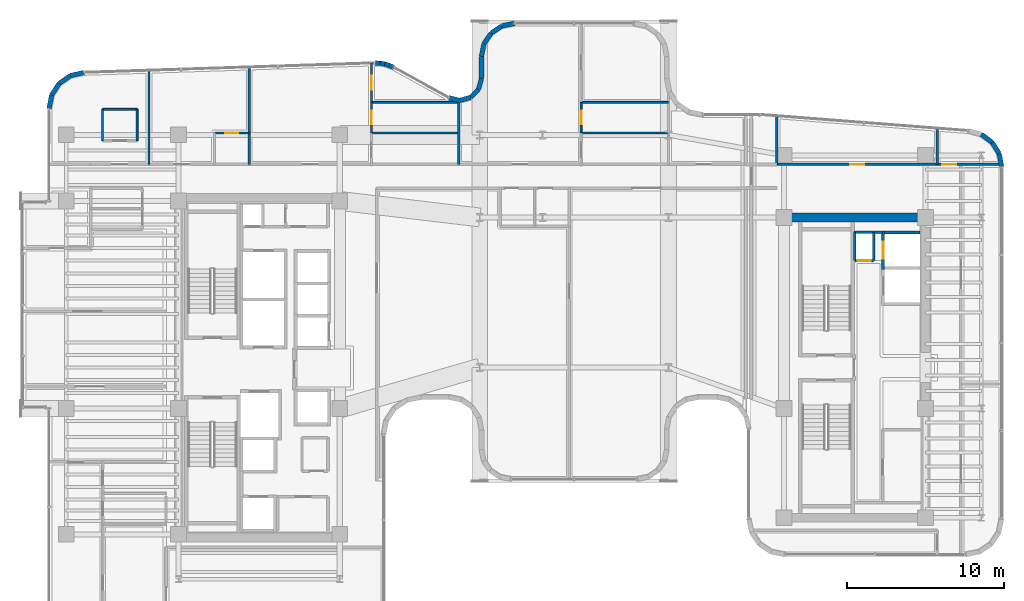
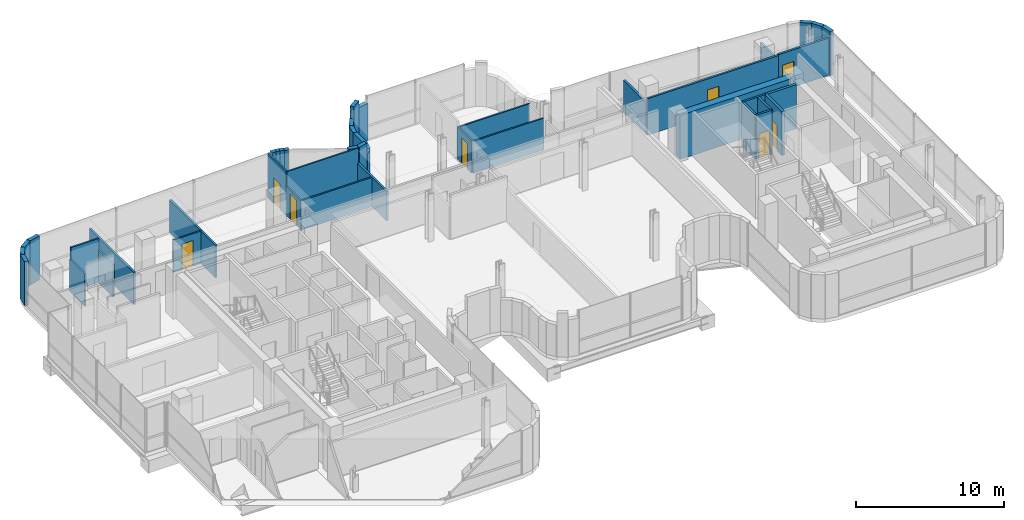
# One storey, part 30 of 38: 45 walls, 8 doors, 8 openings.
"""IFC4 building model written with IfcOpenShell, lengths in metres."""

from ifc_helpers import new_model, si_unit, direction, frame, frame_2d, origin, place, context, subcontext, project, spatial, rectangle, extrude, material, layer, layer_set, type_object, element, fill, save


model = new_model("IFC4")

# Units and contexts
model_context = context("Model", 3, precision=1e-05, world=origin(), true_north=direction((0.0, 1.0)))
body_context = subcontext(model_context, "Body", "Model", "MODEL_VIEW")
ifc_project = project(units=[si_unit("LENGTHUNIT", "METRE"), si_unit("AREAUNIT", "SQUARE_METRE"), si_unit("VOLUMEUNIT", "CUBIC_METRE"), si_unit("PLANEANGLEUNIT", "RADIAN"), si_unit("MASSUNIT", "GRAM", prefix="KILO")], contexts=[model_context])

# Site, building, storey
site_placement = place(None, origin())
site = spatial("IfcSite", under=ifc_project, at=site_placement, CompositionType="ELEMENT")
building_placement = place(site_placement, origin())
building = spatial("IfcBuilding", under=site, at=building_placement, Name="Valdorenza Pilgrim Sanctuary Tower", CompositionType="ELEMENT")
storey_placement = place(building_placement, frame((0.0, 0.0, 180.5)))
storey = spatial("IfcBuildingStorey", under=building, at=storey_placement, Name="L46", CompositionType="ELEMENT", Elevation=180.5)

# Wall, opening, door
ifc_material_1 = material(Name="Acoustic twin-stud gypsum partition", Category="gypsum")
ifc_layer_1 = layer(ifc_material_1, 0.159912109375, Name="Acoustic twin-stud gypsum partition")
ifc_layer_set_1 = layer_set([ifc_layer_1], Name="Acoustic twin-stud gypsum partition")
wall_type_1 = type_object("IfcWallType", Name="WAL-COR-160", PredefinedType="PARTITIONING", material=ifc_layer_set_1)
wall_1_placement = place(storey_placement, frame((20.35009765625, 6.800048828125, 0.0), z_axis=(0.0, 0.0, 1.0), x_axis=(1.0, 0.0, 0.0)))
wall_1 = element("IfcWall", 1, at=wall_1_placement, inside=storey, type_object=wall_type_1, Name="L46 Core B Riser South Wall", PredefinedType="PARTITIONING", context=body_context, shape_type="SweptSolid", body=[
    extrude(rectangle(XDim=1.199951171875, YDim=0.159912109375, at=frame_2d((0.60009765625, 0.0))), origin(), (0.0, 0.0, 1.0), 3.6298828125),
])
opening_1_placement = place(wall_1_placement, frame((0.175048828125, 0.0, 0.0)))
opening_1 = element("IfcOpeningElement", 2, at=opening_1_placement, cuts=wall_1, Name="Opening DR-RS1", PredefinedType="OPENING", context=body_context, shape_type="SweptSolid", body=[
    extrude(rectangle(XDim=0.85009765625, YDim=2.050048828125, at=frame_2d((0.425048828125, 1.02490234375))), frame((0.0, 0.0947265625, 0.0), z_axis=(0.0, -1.0, 0.0), x_axis=(1.0, 0.0, 0.0)), (0.0, 0.0, 1.0), 0.189697265625),
])
ifc_material_2 = material(Name="Painted galvanized steel", Category="steel")
door_type_1 = type_object("IfcDoorType", Name="DR-RSR-850", OperationType="NOTDEFINED", PredefinedType="DOOR", material=ifc_material_2)
door_1_placement = place(opening_1_placement, origin())
door_1 = element("IfcDoor", 3, at=door_1_placement, inside=storey, type_object=door_type_1, Name="L46 Core B Electrical Riser Door", OperationType="SINGLE_SWING_LEFT", OverallHeight=2.050048828125, OverallWidth=0.85009765625, PredefinedType="DOOR", context=body_context, shape_type="SweptSolid", body=[
    extrude(rectangle(XDim=0.85009765625, YDim=2.050048828125, at=frame_2d((0.425048828125, 1.02490234375))), frame((0.0, 0.02490234375, 0.0), z_axis=(0.0, -1.0, 0.0), x_axis=(1.0, 0.0, 0.0)), (0.0, 0.0, 1.0), 0.050048828125),
])
fill(opening_1, door_1)

# Walls
for number, where, z_axis, x_axis, name in (
    (4, (21.550048828125, 6.800048828125, 0.0), (0.0, 0.0, 1.0), (0.0, 1.0, 0.0), "L46 Core B Riser East Wall"),
    (5, (20.35009765625, 6.800048828125, 0.0), (0.0, 0.0, 1.0), (0.0, 1.0, 0.0), "L46 Core B Riser West Wall"),
):
    element("IfcWall", number, at=place(storey_placement, frame(where, z_axis=z_axis, x_axis=x_axis)), inside=storey, type_object=wall_type_1, Name=name, PredefinedType="PARTITIONING", context=body_context, shape_type="SweptSolid", body=[
        extrude(rectangle(XDim=1.800048828125, YDim=0.159912109375, at=frame_2d((0.89990234375, 0.0))), origin(), (0.0, 0.0, 1.0), 3.6298828125),
    ])
wall_2_placement = place(storey_placement, frame((20.300048828125, 8.60009765625, 0.0), z_axis=(0.0, 0.0, 1.0), x_axis=(1.0, 0.0, 0.0)))
element("IfcWall", 6, at=wall_2_placement, inside=storey, type_object=wall_type_1, Name="L46 Core B Lift Hall North End Wall", PredefinedType="PARTITIONING", context=body_context, shape_type="SweptSolid", body=[
    extrude(rectangle(XDim=1.820068359375, YDim=0.159912109375, at=frame_2d((0.91015625, 0.0))), origin(), (0.0, 0.0, 1.0), 3.6298828125),
])

# Wall, opening, door
wall_3_placement = place(storey_placement, frame((15.39990234375, 12.919921875, 0.0), z_axis=(0.0, 0.0, 1.0), x_axis=(1.0, 0.0, 0.0)))
wall_3 = element("IfcWall", 7, at=wall_3_placement, inside=storey, type_object=wall_type_1, Name="L46 Wing B North Corridor Wall", PredefinedType="PARTITIONING", context=body_context, shape_type="SweptSolid", body=[
    extrude(rectangle(XDim=10.2001953125, YDim=0.159912109375, at=frame_2d((5.10009765625, 0.0))), origin(), (0.0, 0.0, 1.0), 3.00390625),
])
opening_2_placement = place(wall_3_placement, frame((4.64990234375, 0.0, 0.0)))
opening_2 = element("IfcOpeningElement", 8, at=opening_2_placement, cuts=wall_3, Name="Opening DR-RM1", PredefinedType="OPENING", context=body_context, shape_type="SweptSolid", body=[
    extrude(rectangle(XDim=0.89990234375, YDim=2.10009765625, at=frame_2d((0.449951171875, 1.050048828125))), frame((0.0, 0.0947265625, 0.0), z_axis=(0.0, -1.0, 0.0), x_axis=(1.0, 0.0, 0.0)), (0.0, 0.0, 1.0), 0.189697265625),
])
ifc_material_3 = material(Name="Solid-core European oak timber", Category="wood")
door_type_2 = type_object("IfcDoorType", Name="DR-ROOM-900", OperationType="NOTDEFINED", PredefinedType="DOOR", material=ifc_material_3)
door_2_placement = place(opening_2_placement, frame((0.89990234375, 0.0, 0.0), z_axis=(0.0, 0.0, 1.0), x_axis=(-1.0, 0.0, 0.0)))
door_2 = element("IfcDoor", 9, at=door_2_placement, inside=storey, type_object=door_type_2, Name="L46 Curator Research Office L46-BN1 Door", OperationType="SINGLE_SWING_LEFT", OverallHeight=2.10009765625, OverallWidth=0.89990234375, PredefinedType="DOOR", context=body_context, shape_type="SweptSolid", body=[
    extrude(rectangle(XDim=0.89990234375, YDim=2.10009765625, at=frame_2d((0.449951171875, 1.050048828125))), frame((0.0, 0.02490234375, 0.0), z_axis=(0.0, -1.0, 0.0), x_axis=(1.0, 0.0, 0.0)), (0.0, 0.0, 1.0), 0.050048828125),
])
fill(opening_2, door_2)

# Walls
wall_4_placement = place(storey_placement, frame((15.39990234375, 12.919921875, 0.0), z_axis=(0.0, 0.0, 1.0), x_axis=(0.0, 1.0, 0.0)))
element("IfcWall", 10, at=wall_4_placement, inside=storey, type_object=wall_type_1, Name="L46 Wing B North West Wall", PredefinedType="PARTITIONING", context=body_context, shape_type="SweptSolid", body=[
    extrude(rectangle(XDim=3.08447265625, YDim=0.159912109375, at=frame_2d((1.542236328125, 0.0))), origin(), (0.0, 0.0, 1.0), 2.6650390625),
])
wall_5_placement = place(storey_placement, frame((25.60009765625, 12.919921875, 0.0), z_axis=(0.0, 0.0, 1.0), x_axis=(0.0, 1.0, 0.0)))
element("IfcWall", 11, at=wall_5_placement, inside=storey, type_object=wall_type_1, Name="L46 Wing B North East Wall", PredefinedType="PARTITIONING", context=body_context, shape_type="SweptSolid", body=[
    extrude(rectangle(XDim=2.294921875, YDim=0.159912109375, at=frame_2d((1.1474609375, 0.0))), origin(), (0.0, 0.0, 1.0), 2.6650390625),
])

# Wall, opening, door
wall_6_placement = place(storey_placement, frame((25.60009765625, 12.919921875, 0.0), z_axis=(0.0, 0.0, 1.0), x_axis=(1.0, 0.0, 0.0)))
wall_6 = element("IfcWall", 12, at=wall_6_placement, inside=storey, type_object=wall_type_1, Name="L46 East Wing NE Corner South Wall", PredefinedType="PARTITIONING", context=body_context, shape_type="SweptSolid", body=[
    extrude(rectangle(XDim=3.93408203125, YDim=0.159912109375, at=frame_2d((1.967041015625, 0.0))), origin(), (0.0, 0.0, 1.0), 3.075927734375),
])
opening_3_placement = place(wall_6_placement, frame((0.300048828125, 0.0, 0.0)))
opening_3 = element("IfcOpeningElement", 13, at=opening_3_placement, cuts=wall_6, Name="Opening DR-RM1", PredefinedType="OPENING", context=body_context, shape_type="SweptSolid", body=[
    extrude(rectangle(XDim=0.89990234375, YDim=2.10009765625, at=frame_2d((0.449951171875, 1.050048828125))), frame((0.0, 0.0947265625, 0.0), z_axis=(0.0, -1.0, 0.0), x_axis=(1.0, 0.0, 0.0)), (0.0, 0.0, 1.0), 0.189697265625),
])
door_3_placement = place(opening_3_placement, origin())
door_3 = element("IfcDoor", 14, at=door_3_placement, inside=storey, type_object=door_type_2, Name="L46 East North Alcove Office L46 Door", OperationType="SINGLE_SWING_LEFT", OverallHeight=2.10009765625, OverallWidth=0.89990234375, PredefinedType="DOOR", context=body_context, shape_type="SweptSolid", body=[
    extrude(rectangle(XDim=0.89990234375, YDim=2.10009765625, at=frame_2d((0.449951171875, 1.050048828125))), frame((0.0, 0.02490234375, 0.0), z_axis=(0.0, -1.0, 0.0), x_axis=(1.0, 0.0, 0.0)), (0.0, 0.0, 1.0), 0.050048828125),
])
fill(opening_3, door_3)

# Walls
ifc_material_4 = material(Name="Concrete C50/60", Category="concrete")
ifc_layer_2 = layer(ifc_material_4, 0.550048828125, Name="Concrete C50/60")
ifc_layer_set_2 = layer_set([ifc_layer_2], Name="Concrete C50/60")
wall_type_2 = type_object("IfcWallType", Name="WAL-COR-550", PredefinedType="SHEAR", material=ifc_layer_set_2)
wall_7_placement = place(storey_placement, frame((15.85009765625, 9.550048828125, 0.0), z_axis=(0.0, 0.0, 1.0), x_axis=(1.0, 0.0, 0.0)))
element("IfcWall", 15, at=wall_7_placement, inside=storey, type_object=wall_type_2, Name="L46 Split Core B Shear Wall N", PredefinedType="SHEAR", context=body_context, shape_type="SweptSolid", body=[
    extrude(rectangle(XDim=9.0, YDim=0.550048828125, at=frame_2d((4.5, 0.0))), origin(), (0.0, 0.0, 1.0), 3.6298828125),
])
ifc_material_5 = material(Name="Honed travertine limestone", Category="masonry")
ifc_layer_3 = layer(ifc_material_5, 0.300048828125, Name="Honed travertine limestone")
ifc_layer_set_3 = layer_set([ifc_layer_3], Name="Honed travertine limestone")
wall_type_3 = type_object("IfcWallType", Name="WAL-EXT-300", PredefinedType="SOLIDWALL", material=ifc_layer_set_3)
wall_8_placement = place(storey_placement, frame((-30.889892578125, 16.46630859375, 0.0), z_axis=(0.0, 0.0, 1.0), x_axis=(0.191128020887, 0.981565117367, 0.0)))
element("IfcWall", 16, at=wall_8_placement, inside=storey, type_object=wall_type_3, Name="L46 Rounded Wind-Corner Stone Pier 2", PredefinedType="SOLIDWALL", context=body_context, shape_type="SweptSolid", body=[
    extrude(rectangle(XDim=0.88525390625, YDim=0.300048828125, at=frame_2d((0.442626953125, 0.0))), origin(), (0.0, 0.0, 1.0), 3.6298828125),
])
wall_9_placement = place(storey_placement, frame((-30.720703125, 17.335205078125, 0.0), z_axis=(0.0, 0.0, 1.0), x_axis=(0.545322000684, 0.838226649284, 0.0)))
element("IfcWall", 17, at=wall_9_placement, inside=storey, type_object=wall_type_3, Name="L46 Rounded Wind-Corner Stone Pier 3", PredefinedType="SOLIDWALL", context=body_context, shape_type="SweptSolid", body=[
    extrude(rectangle(XDim=0.874267578125, YDim=0.300048828125, at=frame_2d((0.43701171875, 0.0))), origin(), (0.0, 0.0, 1.0), 3.6298828125),
])
wall_10_placement = place(storey_placement, frame((-30.243896484375, 18.068115234375, 0.0), z_axis=(0.0, 0.0, 1.0), x_axis=(0.820005059444, 0.572356272339, 0.0)))
element("IfcWall", 18, at=wall_10_placement, inside=storey, type_object=wall_type_3, Name="L46 Rounded Wind-Corner Stone Pier 4", PredefinedType="SOLIDWALL", context=body_context, shape_type="SweptSolid", body=[
    extrude(rectangle(XDim=0.87451171875, YDim=0.300048828125, at=frame_2d((0.437255859375, 0.0))), origin(), (0.0, 0.0, 1.0), 3.6298828125),
])
wall_11_placement = place(storey_placement, frame((-29.52685546875, 18.568603515625, 0.0), z_axis=(0.0, 0.0, 1.0), x_axis=(0.974798570829, 0.223086858218, 0.0)))
element("IfcWall", 19, at=wall_11_placement, inside=storey, type_object=wall_type_3, Name="L46 Rounded Wind-Corner Stone Pier 5", PredefinedType="SOLIDWALL", context=body_context, shape_type="SweptSolid", body=[
    extrude(rectangle(XDim=0.88525390625, YDim=0.300048828125, at=frame_2d((0.442626953125, 0.0))), origin(), (0.0, 0.0, 1.0), 3.6298828125),
])
wall_12_placement = place(storey_placement, frame((-10.157958984375, 19.368408203125, 0.0), z_axis=(0.0, 0.0, 1.0), x_axis=(0.999425494718, -0.03389218949, 0.0)))
element("IfcWall", 20, at=wall_12_placement, inside=storey, type_object=wall_type_3, Name="L46 Rounded Wind-Corner Stone Pier 7", PredefinedType="SOLIDWALL", context=body_context, shape_type="SweptSolid", body=[
    extrude(rectangle(XDim=0.309814453125, YDim=0.300048828125, at=frame_2d((0.15478515625, 0.0))), origin(), (0.0, 0.0, 1.0), 3.6298828125),
])
for number, where, z_axis, x_axis, name in (
    (21, (-9.848388671875, 19.35791015625, 0.0), (0.0, 0.0, 1.0), (0.985894009724, -0.167370850479, 0.0), "L46 Rounded Wind-Corner Stone Pier 8"),
    (22, (-9.54638671875, 19.306640625, 0.0), (0.0, 0.0, 1.0), (0.95479144403, -0.297276467966, 0.0), "L46 Rounded Wind-Corner Stone Pier 9"),
):
    element("IfcWall", number, at=place(storey_placement, frame(where, z_axis=z_axis, x_axis=x_axis)), inside=storey, type_object=wall_type_3, Name=name, PredefinedType="SOLIDWALL", context=body_context, shape_type="SweptSolid", body=[
        extrude(rectangle(XDim=0.306396484375, YDim=0.300048828125, at=frame_2d((0.1533203125, 0.0))), origin(), (0.0, 0.0, 1.0), 3.6298828125),
    ])
wall_13_placement = place(storey_placement, frame((-9.25390625, 19.215576171875, 0.0), z_axis=(0.0, 0.0, 1.0), x_axis=(0.906524902388, -0.42215234377, 0.0)))
element("IfcWall", 23, at=wall_13_placement, inside=storey, type_object=wall_type_3, Name="L46 Rounded Wind-Corner Stone Pier 10", PredefinedType="SOLIDWALL", context=body_context, shape_type="SweptSolid", body=[
    extrude(rectangle(XDim=0.31005859375, YDim=0.300048828125, at=frame_2d((0.155029296875, 0.0))), origin(), (0.0, 0.0, 1.0), 3.6298828125),
])
wall_14_placement = place(storey_placement, frame((-5.4716796875, 17.15869140625, 0.0), z_axis=(0.0, 0.0, 1.0), x_axis=(0.970564820059, -0.240840050789, 0.0)))
element("IfcWall", 24, at=wall_14_placement, inside=storey, type_object=wall_type_3, Name="L46 Rounded Wind-Corner Stone Pier 12", PredefinedType="SOLIDWALL", context=body_context, shape_type="SweptSolid", body=[
    extrude(rectangle(XDim=0.711669921875, YDim=0.300048828125, at=frame_2d((0.35595703125, 0.0))), origin(), (0.0, 0.0, 1.0), 3.6298828125),
])
wall_15_placement = place(storey_placement, frame((-4.781005859375, 16.9873046875, 0.0), z_axis=(0.0, 0.0, 1.0), x_axis=(0.962494705656, 0.271300463662, 0.0)))
element("IfcWall", 25, at=wall_15_placement, inside=storey, type_object=wall_type_3, Name="L46 Rounded Wind-Corner Stone Pier 13", PredefinedType="SOLIDWALL", context=body_context, shape_type="SweptSolid", body=[
    extrude(rectangle(XDim=0.726318359375, YDim=0.300048828125, at=frame_2d((0.36328125, 0.0))), origin(), (0.0, 0.0, 1.0), 3.6298828125),
])
wall_16_placement = place(storey_placement, frame((-4.08203125, 17.184326171875, 0.0), z_axis=(0.0, 0.0, 1.0), x_axis=(0.701538604215, 0.712631452293, 0.0)))
element("IfcWall", 26, at=wall_16_placement, inside=storey, type_object=wall_type_3, Name="L46 Rounded Wind-Corner Stone Pier 14", PredefinedType="SOLIDWALL", context=body_context, shape_type="SweptSolid", body=[
    extrude(rectangle(XDim=0.726318359375, YDim=0.300048828125, at=frame_2d((0.36328125, 0.0))), origin(), (0.0, 0.0, 1.0), 2.614990234375),
])
wall_17_placement = place(storey_placement, frame((-3.572509765625, 17.701904296875, 0.0), z_axis=(0.0, 0.0, 1.0), x_axis=(0.256637481794, 0.966507735581, 0.0)))
element("IfcWall", 27, at=wall_17_placement, inside=storey, type_object=wall_type_3, Name="L46 Rounded Wind-Corner Stone Pier 15", PredefinedType="SOLIDWALL", context=body_context, shape_type="SweptSolid", body=[
    extrude(rectangle(XDim=0.711669921875, YDim=0.300048828125, at=frame_2d((0.35595703125, 0.0))), origin(), (0.0, 0.0, 1.0), 2.614990234375),
])
wall_18_placement = place(storey_placement, frame((-3.389892578125, 18.3896484375, 0.0), z_axis=(0.0, 0.0, 1.0), x_axis=(0.0, 1.0, 0.0)))
element("IfcWall", 28, at=wall_18_placement, inside=storey, type_object=wall_type_3, Name="L46 Rounded Wind-Corner Stone Pier 16", PredefinedType="SOLIDWALL", context=body_context, shape_type="SweptSolid", body=[
    extrude(rectangle(XDim=1.3955078125, YDim=0.300048828125, at=frame_2d((0.69775390625, 0.0))), origin(), (0.0, 0.0, 1.0), 2.614990234375),
])
wall_19_placement = place(storey_placement, frame((-3.389892578125, 19.78515625, 0.0), z_axis=(0.0, 0.0, 1.0), x_axis=(0.195094354541, 0.980784478276, 0.0)))
element("IfcWall", 29, at=wall_19_placement, inside=storey, type_object=wall_type_3, Name="L46 Rounded Wind-Corner Stone Pier 17", PredefinedType="SOLIDWALL", context=body_context, shape_type="SweptSolid", body=[
    extrude(rectangle(XDim=0.8271484375, YDim=0.300048828125, at=frame_2d((0.41357421875, 0.0))), origin(), (0.0, 0.0, 1.0), 2.614990234375),
])
wall_20_placement = place(storey_placement, frame((-3.228515625, 20.596435546875, 0.0), z_axis=(0.0, 0.0, 1.0), x_axis=(0.55545926088, 0.831543750805, 0.0)))
element("IfcWall", 30, at=wall_20_placement, inside=storey, type_object=wall_type_3, Name="L46 Rounded Wind-Corner Stone Pier 18", PredefinedType="SOLIDWALL", context=body_context, shape_type="SweptSolid", body=[
    extrude(rectangle(XDim=0.816162109375, YDim=0.300048828125, at=frame_2d((0.408203125, 0.0))), origin(), (0.0, 0.0, 1.0), 2.614990234375),
])
wall_21_placement = place(storey_placement, frame((-2.775146484375, 21.275146484375, 0.0), z_axis=(0.0, 0.0, 1.0), x_axis=(0.831543750805, 0.55545926088, 0.0)))
element("IfcWall", 31, at=wall_21_placement, inside=storey, type_object=wall_type_3, Name="L46 Rounded Wind-Corner Stone Pier 19", PredefinedType="SOLIDWALL", context=body_context, shape_type="SweptSolid", body=[
    extrude(rectangle(XDim=0.816162109375, YDim=0.300048828125, at=frame_2d((0.408203125, 0.0))), origin(), (0.0, 0.0, 1.0), 3.6298828125),
])
wall_22_placement = place(storey_placement, frame((-2.096435546875, 21.728515625, 0.0), z_axis=(0.0, 0.0, 1.0), x_axis=(0.980784478276, 0.195094354541, 0.0)))
element("IfcWall", 32, at=wall_22_placement, inside=storey, type_object=wall_type_3, Name="L46 Rounded Wind-Corner Stone Pier 20", PredefinedType="SOLIDWALL", context=body_context, shape_type="SweptSolid", body=[
    extrude(rectangle(XDim=0.8271484375, YDim=0.300048828125, at=frame_2d((0.41357421875, 0.0))), origin(), (0.0, 0.0, 1.0), 3.075927734375),
])
wall_23_placement = place(storey_placement, frame((28.396484375, 14.838134765625, 0.0), z_axis=(0.0, 0.0, 1.0), x_axis=(0.803847397988, -0.594835574548, 0.0)))
element("IfcWall", 33, at=wall_23_placement, inside=storey, type_object=wall_type_3, Name="L46 Rounded Wind-Corner Stone Pier 34", PredefinedType="SOLIDWALL", context=body_context, shape_type="SweptSolid", body=[
    extrude(rectangle(XDim=0.84912109375, YDim=0.300048828125, at=frame_2d((0.424560546875, 0.0))), origin(), (0.0, 0.0, 1.0), 3.6298828125),
])
wall_24_placement = place(storey_placement, frame((29.0791015625, 14.3330078125, 0.0), z_axis=(0.0, 0.0, 1.0), x_axis=(0.53134147342, -0.847157741288, 0.0)))
element("IfcWall", 34, at=wall_24_placement, inside=storey, type_object=wall_type_3, Name="L46 Rounded Wind-Corner Stone Pier 35", PredefinedType="SOLIDWALL", context=body_context, shape_type="SweptSolid", body=[
    extrude(rectangle(XDim=0.849609375, YDim=0.300048828125, at=frame_2d((0.4248046875, 0.0))), origin(), (0.0, 0.0, 1.0), 3.6298828125),
])
wall_25_placement = place(storey_placement, frame((29.530517578125, 13.61328125, 0.0), z_axis=(0.0, 0.0, 1.0), x_axis=(0.185402686284, -0.982662629756, 0.0)))
element("IfcWall", 35, at=wall_25_placement, inside=storey, type_object=wall_type_3, Name="L46 Rounded Wind-Corner Stone Pier 36", PredefinedType="SOLIDWALL", context=body_context, shape_type="SweptSolid", body=[
    extrude(rectangle(XDim=0.85986328125, YDim=0.300048828125, at=frame_2d((0.429931640625, 0.0))), origin(), (0.0, 0.0, 1.0), 3.6298828125),
])
ifc_material_6 = material(Name="Moisture-resistant gypsum partition", Category="gypsum")
ifc_layer_4 = layer(ifc_material_6, 0.1201171875, Name="Moisture-resistant gypsum partition")
ifc_layer_set_4 = layer_set([ifc_layer_4], Name="Moisture-resistant gypsum partition")
wall_type_4 = type_object("IfcWallType", Name="WAL-INT-120", PredefinedType="PARTITIONING", material=ifc_layer_set_4)
for number, where, z_axis, x_axis, name in (
    (36, (-27.4892578125, 14.419921875, 0.0), (0.0, 0.0, 1.0), (0.0, 1.0, 0.0), "L46 North Family Guest Room L46-N1A En-suite West Wall"),
    (37, (-25.289306640625, 14.419921875, 0.0), (0.0, 0.0, 1.0), (0.0, 1.0, 0.0), "L46 North Family Guest Room L46-N1A En-suite East Wall"),
):
    element("IfcWall", number, at=place(storey_placement, frame(where, z_axis=z_axis, x_axis=x_axis)), inside=storey, type_object=wall_type_4, Name=name, PredefinedType="PARTITIONING", context=body_context, shape_type="SweptSolid", body=[
        extrude(rectangle(XDim=2.0, YDim=0.1201171875, at=frame_2d((1.0, 0.0))), origin(), (0.0, 0.0, 1.0), 2.6650390625),
    ])
wall_26_placement = place(storey_placement, frame((-27.4892578125, 16.419921875, 0.0), z_axis=(0.0, 0.0, 1.0), x_axis=(1.0, 0.0, 0.0)))
element("IfcWall", 38, at=wall_26_placement, inside=storey, type_object=wall_type_4, Name="L46 North Family Guest Room L46-N1A En-suite Back Wall", PredefinedType="PARTITIONING", context=body_context, shape_type="SweptSolid", body=[
    extrude(rectangle(XDim=2.199951171875, YDim=0.1201171875, at=frame_2d((1.10009765625, 0.0))), origin(), (0.0, 0.0, 1.0), 3.6298828125),
])

# Wall, opening, door
wall_27_placement = place(storey_placement, frame((-20.366943359375, 14.919921875, 0.0), z_axis=(0.0, 0.0, 1.0), x_axis=(1.0, 0.0, 0.0)))
wall_27 = element("IfcWall", 39, at=wall_27_placement, inside=storey, type_object=wall_type_4, Name="L46 North Family Guest Room L46-N1B En-suite Door Wall", PredefinedType="PARTITIONING", context=body_context, shape_type="SweptSolid", body=[
    extrude(rectangle(XDim=2.199951171875, YDim=0.1201171875, at=frame_2d((1.10009765625, 0.0))), origin(), (0.0, 0.0, 1.0), 2.6650390625),
])
opening_4_placement = place(wall_27_placement, frame((0.675048828125, 0.0, 0.0)))
opening_4 = element("IfcOpeningElement", 40, at=opening_4_placement, cuts=wall_27, Name="Opening DR-WC1", PredefinedType="OPENING", context=body_context, shape_type="SweptSolid", body=[
    extrude(rectangle(XDim=0.85009765625, YDim=2.10009765625, at=frame_2d((0.425048828125, 1.050048828125))), frame((0.0, 0.074951171875, 0.0), z_axis=(0.0, -1.0, 0.0), x_axis=(1.0, 0.0, 0.0)), (0.0, 0.0, 1.0), 0.14990234375),
])
ifc_material_7 = material(Name="Moisture-resistant lacquered timber", Category="wood")
door_type_3 = type_object("IfcDoorType", Name="DR-BATH-850", OperationType="NOTDEFINED", PredefinedType="DOOR", material=ifc_material_7)
door_4_placement = place(opening_4_placement, origin())
door_4 = element("IfcDoor", 41, at=door_4_placement, inside=storey, type_object=door_type_3, Name="L46 North Family Guest Room L46-N1B En-suite Bathroom Door", OperationType="SINGLE_SWING_RIGHT", OverallHeight=2.10009765625, OverallWidth=0.85009765625, PredefinedType="DOOR", context=body_context, shape_type="SweptSolid", body=[
    extrude(rectangle(XDim=0.85009765625, YDim=2.10009765625, at=frame_2d((0.425048828125, 1.050048828125))), frame((0.0, 0.02490234375, 0.0), z_axis=(0.0, -1.0, 0.0), x_axis=(1.0, 0.0, 0.0)), (0.0, 0.0, 1.0), 0.050048828125),
])
fill(opening_4, door_4)

# Walls
wall_28_placement = place(storey_placement, frame((-10.38330078125, 14.919921875, 0.0), z_axis=(0.0, 0.0, 1.0), x_axis=(1.0, 0.0, 0.0)))
element("IfcWall", 42, at=wall_28_placement, inside=storey, type_object=wall_type_4, Name="L46 North Family Flat L46-N2 Bath-Kitchen Wall", PredefinedType="PARTITIONING", context=body_context, shape_type="SweptSolid", body=[
    extrude(rectangle(XDim=5.55029296875, YDim=0.1201171875, at=frame_2d((2.775146484375, 0.0))), origin(), (0.0, 0.0, 1.0), 2.4150390625),
])
wall_29_placement = place(storey_placement, frame((-10.38330078125, 16.8701171875, 0.0), z_axis=(0.0, 0.0, 1.0), x_axis=(1.0, 0.0, 0.0)))
element("IfcWall", 43, at=wall_29_placement, inside=storey, type_object=wall_type_4, Name="L46 North Family Flat L46-N2 Kitchen-Bedroom Wall", PredefinedType="PARTITIONING", context=body_context, shape_type="SweptSolid", body=[
    extrude(rectangle(XDim=5.55029296875, YDim=0.1201171875, at=frame_2d((2.775146484375, 0.0))), origin(), (0.0, 0.0, 1.0), 3.6298828125),
])

# Wall, opening, door
wall_30_placement = place(storey_placement, frame((-10.38330078125, 14.919921875, 0.0), z_axis=(0.0, 0.0, 1.0), x_axis=(0.0, 1.0, 0.0)))
wall_30 = element("IfcWall", 44, at=wall_30_placement, inside=storey, type_object=wall_type_4, Name="L46 North Family Flat L46-N2 Bathroom Door Wall", PredefinedType="PARTITIONING", context=body_context, shape_type="SweptSolid", body=[
    extrude(rectangle(XDim=1.9501953125, YDim=0.1201171875, at=frame_2d((0.97509765625, 0.0))), origin(), (0.0, 0.0, 1.0), 2.4150390625),
])
opening_5_placement = place(wall_30_placement, frame((0.550048828125, 0.0, 0.0)))
opening_5 = element("IfcOpeningElement", 45, at=opening_5_placement, cuts=wall_30, Name="Opening DR-WC1", PredefinedType="OPENING", context=body_context, shape_type="SweptSolid", body=[
    extrude(rectangle(XDim=0.85009765625, YDim=2.10009765625, at=frame_2d((0.425048828125, 1.050048828125))), frame((0.0, 0.074951171875, 0.0), z_axis=(0.0, -1.0, 0.0), x_axis=(1.0, 0.0, 0.0)), (0.0, 0.0, 1.0), 0.14990234375),
])
door_5_placement = place(opening_5_placement, origin())
door_5 = element("IfcDoor", 46, at=door_5_placement, inside=storey, type_object=door_type_3, Name="L46 North Family Flat L46-N2 Bathroom Door", OperationType="SINGLE_SWING_RIGHT", OverallHeight=2.10009765625, OverallWidth=0.85009765625, PredefinedType="DOOR", context=body_context, shape_type="SweptSolid", body=[
    extrude(rectangle(XDim=0.85009765625, YDim=2.10009765625, at=frame_2d((0.425048828125, 1.050048828125))), frame((0.0, 0.02490234375, 0.0), z_axis=(0.0, -1.0, 0.0), x_axis=(1.0, 0.0, 0.0)), (0.0, 0.0, 1.0), 0.050048828125),
])
fill(opening_5, door_5)

wall_31_placement = place(storey_placement, frame((-10.38330078125, 16.8701171875, 0.0), z_axis=(0.0, 0.0, 1.0), x_axis=(0.0, 1.0, 0.0)))
wall_31 = element("IfcWall", 47, at=wall_31_placement, inside=storey, type_object=wall_type_4, Name="L46 North Family Flat L46-N2 Bedroom Door Wall", PredefinedType="PARTITIONING", context=body_context, shape_type="SweptSolid", body=[
    extrude(rectangle(XDim=2.490966796875, YDim=0.1201171875, at=frame_2d((1.24560546875, 0.0))), origin(), (0.0, 0.0, 1.0), 3.6298828125),
])
opening_6_placement = place(wall_31_placement, frame((0.7958984375, 0.0, 0.0)))
opening_6 = element("IfcOpeningElement", 48, at=opening_6_placement, cuts=wall_31, Name="Opening DR-RM1", PredefinedType="OPENING", context=body_context, shape_type="SweptSolid", body=[
    extrude(rectangle(XDim=0.89990234375, YDim=2.10009765625, at=frame_2d((0.449951171875, 1.050048828125))), frame((0.0, 0.074951171875, 0.0), z_axis=(0.0, -1.0, 0.0), x_axis=(1.0, 0.0, 0.0)), (0.0, 0.0, 1.0), 0.14990234375),
])
door_6_placement = place(opening_6_placement, origin())
door_6 = element("IfcDoor", 49, at=door_6_placement, inside=storey, type_object=door_type_2, Name="L46 North Family Flat L46-N2 Bedroom Door", OperationType="SINGLE_SWING_RIGHT", OverallHeight=2.10009765625, OverallWidth=0.89990234375, PredefinedType="DOOR", context=body_context, shape_type="SweptSolid", body=[
    extrude(rectangle(XDim=0.89990234375, YDim=2.10009765625, at=frame_2d((0.449951171875, 1.050048828125))), frame((0.0, 0.02490234375, 0.0), z_axis=(0.0, -1.0, 0.0), x_axis=(1.0, 0.0, 0.0)), (0.0, 0.0, 1.0), 0.050048828125),
])
fill(opening_6, door_6)

# Walls
for number, where, z_axis, x_axis, name in (
    (50, (2.9501953125, 14.919921875, 0.0), (0.0, 0.0, 1.0), (1.0, 0.0, 0.0), "L46 North Family Flat L46-N3 Bath-Kitchen Wall"),
    (51, (2.9501953125, 16.8701171875, 0.0), (0.0, 0.0, 1.0), (1.0, 0.0, 0.0), "L46 North Family Flat L46-N3 Kitchen-Bedroom Wall"),
):
    element("IfcWall", number, at=place(storey_placement, frame(where, z_axis=z_axis, x_axis=x_axis)), inside=storey, type_object=wall_type_4, Name=name, PredefinedType="PARTITIONING", context=body_context, shape_type="SweptSolid", body=[
        extrude(rectangle(XDim=5.5498046875, YDim=0.1201171875, at=frame_2d((2.77490234375, 0.0))), origin(), (0.0, 0.0, 1.0), 2.614990234375),
    ])

# Wall, opening, door
wall_32_placement = place(storey_placement, frame((2.9501953125, 14.919921875, 0.0), z_axis=(0.0, 0.0, 1.0), x_axis=(0.0, 1.0, 0.0)))
wall_32 = element("IfcWall", 52, at=wall_32_placement, inside=storey, type_object=wall_type_4, Name="L46 North Family Flat L46-N3 Bathroom Door Wall", PredefinedType="PARTITIONING", context=body_context, shape_type="SweptSolid", body=[
    extrude(rectangle(XDim=1.9501953125, YDim=0.1201171875, at=frame_2d((0.97509765625, 0.0))), origin(), (0.0, 0.0, 1.0), 2.6650390625),
])
opening_7_placement = place(wall_32_placement, frame((0.550048828125, 0.0, 0.0)))
opening_7 = element("IfcOpeningElement", 53, at=opening_7_placement, cuts=wall_32, Name="Opening DR-WC1", PredefinedType="OPENING", context=body_context, shape_type="SweptSolid", body=[
    extrude(rectangle(XDim=0.85009765625, YDim=2.10009765625, at=frame_2d((0.425048828125, 1.050048828125))), frame((0.0, 0.074951171875, 0.0), z_axis=(0.0, -1.0, 0.0), x_axis=(1.0, 0.0, 0.0)), (0.0, 0.0, 1.0), 0.14990234375),
])
door_7_placement = place(opening_7_placement, origin())
door_7 = element("IfcDoor", 54, at=door_7_placement, inside=storey, type_object=door_type_3, Name="L46 North Family Flat L46-N3 Bathroom Door", OperationType="SINGLE_SWING_RIGHT", OverallHeight=2.10009765625, OverallWidth=0.85009765625, PredefinedType="DOOR", context=body_context, shape_type="SweptSolid", body=[
    extrude(rectangle(XDim=0.85009765625, YDim=2.10009765625, at=frame_2d((0.425048828125, 1.050048828125))), frame((0.0, 0.02490234375, 0.0), z_axis=(0.0, -1.0, 0.0), x_axis=(1.0, 0.0, 0.0)), (0.0, 0.0, 1.0), 0.050048828125),
])
fill(opening_7, door_7)

ifc_material_8 = material(Name="Autoclaved aerated concrete blockwork", Category="masonry")
ifc_layer_5 = layer(ifc_material_8, 0.199951171875, Name="Autoclaved aerated concrete blockwork")
ifc_layer_set_5 = layer_set([ifc_layer_5], Name="Autoclaved aerated concrete blockwork")
wall_type_5 = type_object("IfcWallType", Name="WAL-SHF-200", PredefinedType="MOVABLE", material=ifc_layer_set_5)
wall_33_placement = place(storey_placement, frame((22.14990234375, 6.22509765625, 0.0), z_axis=(0.0, 0.0, 1.0), x_axis=(0.0, 1.0, 0.0)))
wall_33 = element("IfcWall", 55, at=wall_33_placement, inside=storey, type_object=wall_type_5, Name="L46 Lift PL-08 Hoistway Wall West", PredefinedType="MOVABLE", context=body_context, shape_type="SweptSolid", body=[
    extrude(rectangle(XDim=2.474853515625, YDim=0.199951171875, at=frame_2d((1.2373046875, 0.0))), origin(), (0.0, 0.0, 1.0), 3.6298828125),
])
opening_8_placement = place(wall_33_placement, frame((0.6875, 0.0, 0.0)))
opening_8 = element("IfcOpeningElement", 56, at=opening_8_placement, cuts=wall_33, Name="Opening LD-01", PredefinedType="OPENING", context=body_context, shape_type="SweptSolid", body=[
    extrude(rectangle(XDim=1.10009765625, YDim=2.10009765625, at=frame_2d((0.550048828125, 1.050048828125))), frame((0.0, 0.11474609375, 0.0), z_axis=(0.0, -1.0, 0.0), x_axis=(1.0, 0.0, 0.0)), (0.0, 0.0, 1.0), 0.229736328125),
])
ifc_material_9 = material(Name="Brushed stainless steel Grade 316", Category="steel")
door_type_4 = type_object("IfcDoorType", Name="DR-LFT-1100", OperationType="DOUBLE_DOOR_SLIDING", PredefinedType="DOOR", material=ifc_material_9)
door_8_placement = place(opening_8_placement, origin())
door_8 = element("IfcDoor", 57, at=door_8_placement, inside=storey, type_object=door_type_4, Name="L46 Lift PL-08 Sliding Landing Door", OperationType="DOUBLE_DOOR_SLIDING", OverallHeight=2.10009765625, OverallWidth=1.10009765625, PredefinedType="DOOR", context=body_context, shape_type="SweptSolid", body=[
    extrude(rectangle(XDim=1.10009765625, YDim=2.10009765625, at=frame_2d((0.550048828125, 1.050048828125))), frame((0.0, 0.02490234375, 0.0), z_axis=(0.0, -1.0, 0.0), x_axis=(1.0, 0.0, 0.0)), (0.0, 0.0, 1.0), 0.050048828125),
])
fill(opening_8, door_8)

# Walls
wall_34_placement = place(storey_placement, frame((22.25, 8.60009765625, 0.0), z_axis=(0.0, 0.0, 1.0), x_axis=(1.0, 0.0, 0.0)))
element("IfcWall", 58, at=wall_34_placement, inside=storey, type_object=wall_type_5, Name="L46 Lift PL-08 Hoistway Wall North", PredefinedType="MOVABLE", context=body_context, shape_type="SweptSolid", body=[
    extrude(rectangle(XDim=2.22998046875, YDim=0.199951171875, at=frame_2d((1.114990234375, 0.0))), origin(), (0.0, 0.0, 1.0), 3.6298828125),
])
ifc_layer_6 = layer(ifc_material_1, 0.14990234375, Name="Acoustic twin-stud gypsum partition")
ifc_layer_set_6 = layer_set([ifc_layer_6], Name="Acoustic twin-stud gypsum partition")
wall_type_6 = type_object("IfcWallType", Name="WAL-UNT-150", PredefinedType="PARTITIONING", material=ifc_layer_set_6)
wall_35_placement = place(storey_placement, frame((-18.1669921875, 12.919921875, 0.0), z_axis=(0.0, 0.0, 1.0), x_axis=(0.0, 1.0, 0.0)))
element("IfcWall", 59, at=wall_35_placement, inside=storey, type_object=wall_type_6, Name="L46 North Flat Demising 1", PredefinedType="PARTITIONING", context=body_context, shape_type="SweptSolid", body=[
    extrude(rectangle(XDim=6.18798828125, YDim=0.14990234375, at=frame_2d((3.093994140625, 0.0))), origin(), (0.0, 0.0, 1.0), 2.6650390625),
])
wall_36_placement = place(storey_placement, frame((-4.8330078125, 12.919921875, 0.0), z_axis=(0.0, 0.0, 1.0), x_axis=(0.0, 1.0, 0.0)))
element("IfcWall", 60, at=wall_36_placement, inside=storey, type_object=wall_type_6, Name="L46 North Flat Demising 2", PredefinedType="PARTITIONING", context=body_context, shape_type="SweptSolid", body=[
    extrude(rectangle(XDim=3.951416015625, YDim=0.14990234375, at=frame_2d((1.9755859375, 0.0))), origin(), (0.0, 0.0, 1.0), 2.4150390625),
])
wall_37_placement = place(storey_placement, frame((-24.528564453125, 12.919921875, 0.0), z_axis=(0.0, 0.0, 1.0), x_axis=(0.0, 1.0, 0.0)))
element("IfcWall", 61, at=wall_37_placement, inside=storey, type_object=wall_type_6, Name="L46 North Family Guest Room L46-N1 Split Wall", PredefinedType="PARTITIONING", context=body_context, shape_type="SweptSolid", body=[
    extrude(rectangle(XDim=5.980712890625, YDim=0.14990234375, at=frame_2d((2.990234375, 0.0))), origin(), (0.0, 0.0, 1.0), 2.6650390625),
])

save(model, "model.ifc")
